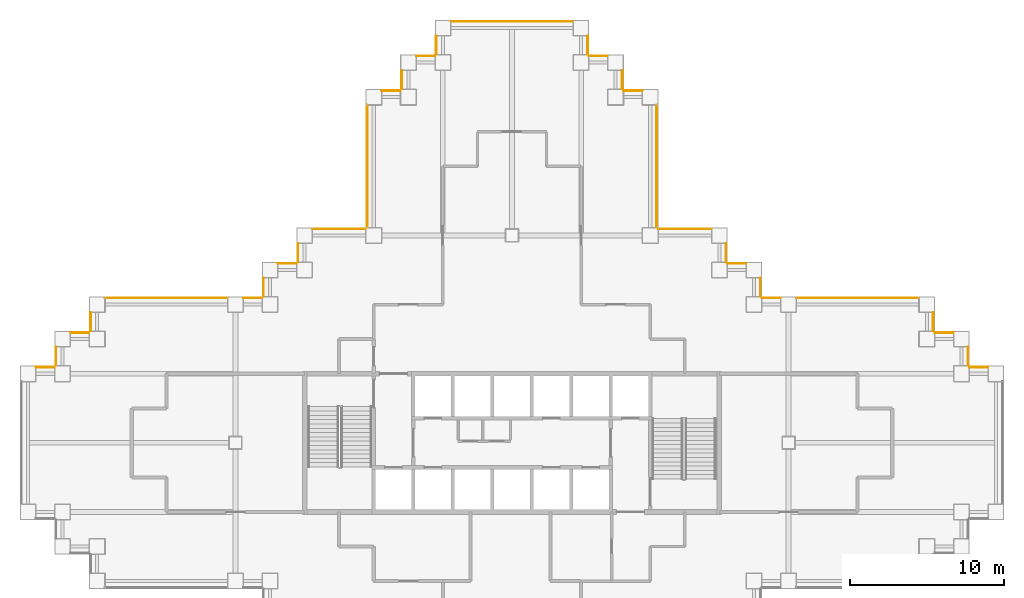
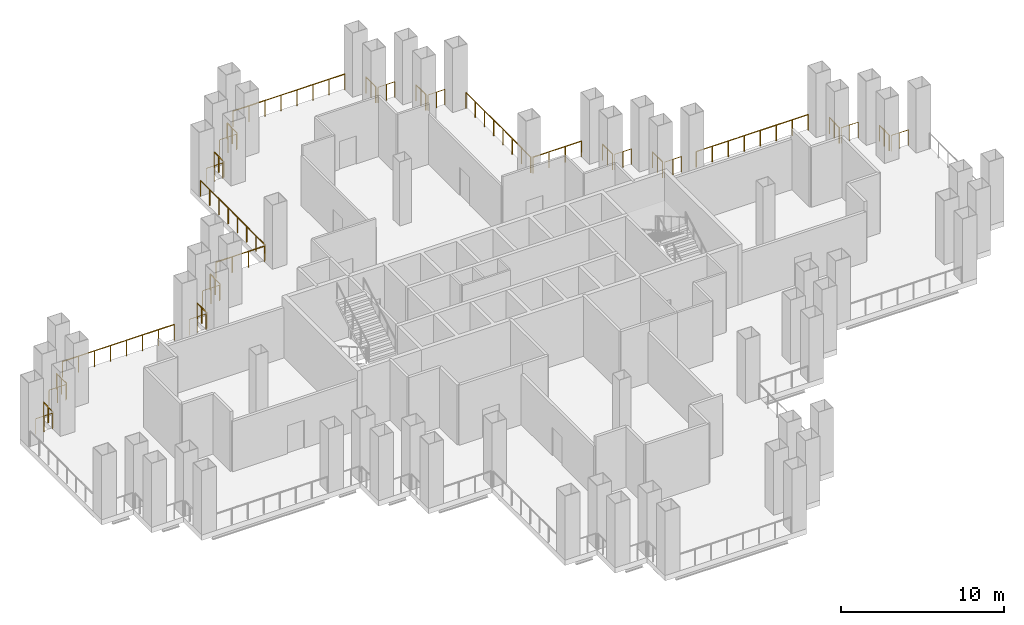
# One storey, part 10 of 10: 31 railings.
"""IFC4 building model written with IfcOpenShell, lengths in metres."""

from ifc_helpers import new_model, si_unit, direction, frame, origin, origin_2d, place, context, subcontext, project, spatial, circle, extrude, material, type_object, element, save


model = new_model("IFC4")

# Units and contexts
model_context = context("Model", 3, precision=1e-05, world=origin(), true_north=direction((0.0, 1.0)))
body_context = subcontext(model_context, "Body", "Model", "MODEL_VIEW")
ifc_project = project(units=[si_unit("LENGTHUNIT", "METRE"), si_unit("AREAUNIT", "SQUARE_METRE"), si_unit("VOLUMEUNIT", "CUBIC_METRE"), si_unit("PLANEANGLEUNIT", "RADIAN"), si_unit("MASSUNIT", "GRAM", prefix="KILO")], contexts=[model_context])

# Site, building, storey
site_placement = place(None, origin())
site = spatial("IfcSite", under=ifc_project, at=site_placement, CompositionType="ELEMENT")
building_placement = place(site_placement, origin())
building = spatial("IfcBuilding", under=site, at=building_placement, Name="Caravel Reach Hotel and Residences", CompositionType="ELEMENT")
storey_placement = place(building_placement, frame((0.0, 0.0, 48.0)))
storey = spatial("IfcBuildingStorey", under=building, at=storey_placement, Name="L10", CompositionType="ELEMENT", Elevation=48.0)

# Railings
ifc_material = material(Name="Stainless steel S30408", Category="steel")
railing_type = type_object("IfcRailingType", Name="G1 Guard 1200 stainless", PredefinedType="GUARDRAIL", material=ifc_material)
railing_1_placement = place(storey_placement, frame((62.47509765625, 31.925048828125, 0.0)))
element("IfcRailing", 1, at=railing_1_placement, inside=storey, type_object=railing_type, Name="Guard L10 21.1", PredefinedType="GUARDRAIL", context=body_context, shape_type="SweptSolid", body=[
    extrude(circle(Radius=0.02392578125, at=origin_2d()), frame((0.0, 0.0, 1.17578125), z_axis=(-1.0, 0.0, 0.0), x_axis=(0.0, -1.0, 0.0)), (0.0, 0.0, 1.0), 1.2001953125),
    extrude(circle(Radius=0.02099609375, at=origin_2d()), origin(), (0.0, 0.0, 1.0), 1.15185546875),
    extrude(circle(Radius=0.02099609375, at=origin_2d()), frame((-0.60009765625, 0.0, 0.0)), (0.0, 0.0, 1.0), 1.15185546875),
    extrude(circle(Radius=0.02099609375, at=origin_2d()), frame((-1.2001953125, 0.0, 0.0)), (0.0, 0.0, 1.0), 1.15185546875),
])
railing_2_placement = place(storey_placement, frame((61.175048828125, 32.02490234375, 0.0)))
element("IfcRailing", 2, at=railing_2_placement, inside=storey, type_object=railing_type, Name="Guard L10 22.1", PredefinedType="GUARDRAIL", context=body_context, shape_type="SweptSolid", body=[
    extrude(circle(Radius=0.02392578125, at=origin_2d()), frame((0.0, 0.0, 1.17578125), z_axis=(0.0, 1.0, 0.0), x_axis=(-1.0, 0.0, 0.0)), (0.0, 0.0, 1.0), 1.2001953125),
    extrude(circle(Radius=0.02099609375, at=origin_2d()), origin(), (0.0, 0.0, 1.0), 1.15185546875),
    extrude(circle(Radius=0.02099609375, at=origin_2d()), frame((0.0, 0.60009765625, 0.0)), (0.0, 0.0, 1.0), 1.15185546875),
    extrude(circle(Radius=0.02099609375, at=origin_2d()), frame((0.0, 1.2001953125, 0.0)), (0.0, 0.0, 1.0), 1.15185546875),
])
railing_3_placement = place(storey_placement, frame((60.22509765625, 34.175048828125, 0.0)))
element("IfcRailing", 3, at=railing_3_placement, inside=storey, type_object=railing_type, Name="Guard L10 23.1", PredefinedType="GUARDRAIL", context=body_context, shape_type="SweptSolid", body=[
    extrude(circle(Radius=0.02392578125, at=origin_2d()), frame((0.0, 0.0, 1.17578125), z_axis=(-1.0, 0.0, 0.0), x_axis=(0.0, -1.0, 0.0)), (0.0, 0.0, 1.0), 1.2001953125),
    extrude(circle(Radius=0.02099609375, at=origin_2d()), origin(), (0.0, 0.0, 1.0), 1.15185546875),
    extrude(circle(Radius=0.02099609375, at=origin_2d()), frame((-0.60009765625, 0.0, 0.0)), (0.0, 0.0, 1.0), 1.15185546875),
    extrude(circle(Radius=0.02099609375, at=origin_2d()), frame((-1.2001953125, 0.0, 0.0)), (0.0, 0.0, 1.0), 1.15185546875),
])
railing_4_placement = place(storey_placement, frame((58.925048828125, 34.27490234375, 0.0)))
element("IfcRailing", 4, at=railing_4_placement, inside=storey, type_object=railing_type, Name="Guard L10 24.1", PredefinedType="GUARDRAIL", context=body_context, shape_type="SweptSolid", body=[
    extrude(circle(Radius=0.02392578125, at=origin_2d()), frame((0.0, 0.0, 1.17578125), z_axis=(0.0, 1.0, 0.0), x_axis=(-1.0, 0.0, 0.0)), (0.0, 0.0, 1.0), 1.2001953125),
    extrude(circle(Radius=0.02099609375, at=origin_2d()), origin(), (0.0, 0.0, 1.0), 1.15185546875),
    extrude(circle(Radius=0.02099609375, at=origin_2d()), frame((0.0, 0.60009765625, 0.0)), (0.0, 0.0, 1.0), 1.15185546875),
    extrude(circle(Radius=0.02099609375, at=origin_2d()), frame((0.0, 1.2001953125, 0.0)), (0.0, 0.0, 1.0), 1.15185546875),
])
railing_5_placement = place(storey_placement, frame((57.97509765625, 36.425048828125, 0.0)))
element("IfcRailing", 5, at=railing_5_placement, inside=storey, type_object=railing_type, Name="Guard L10 25.1", PredefinedType="GUARDRAIL", context=body_context, shape_type="SweptSolid", body=[
    extrude(circle(Radius=0.02392578125, at=origin_2d()), frame((0.0, 0.0, 1.17578125), z_axis=(-1.0, 0.0, 0.0), x_axis=(0.0, -1.0, 0.0)), (0.0, 0.0, 1.0), 7.9501953125),
    extrude(circle(Radius=0.02099609375, at=origin_2d()), origin(), (0.0, 0.0, 1.0), 1.15185546875),
    extrude(circle(Radius=0.02099609375, at=origin_2d()), frame((-1.1357421875, 0.0, 0.0)), (0.0, 0.0, 1.0), 1.15185546875),
    extrude(circle(Radius=0.02099609375, at=origin_2d()), frame((-2.271484375, 0.0, 0.0)), (0.0, 0.0, 1.0), 1.15185546875),
    extrude(circle(Radius=0.02099609375, at=origin_2d()), frame((-3.4072265625, 0.0, 0.0)), (0.0, 0.0, 1.0), 1.15185546875),
    extrude(circle(Radius=0.02099609375, at=origin_2d()), frame((-4.54296875, 0.0, 0.0)), (0.0, 0.0, 1.0), 1.15185546875),
    extrude(circle(Radius=0.02099609375, at=origin_2d()), frame((-5.6787109375, 0.0, 0.0)), (0.0, 0.0, 1.0), 1.15185546875),
    extrude(circle(Radius=0.02099609375, at=origin_2d()), frame((-6.814453125, 0.0, 0.0)), (0.0, 0.0, 1.0), 1.15185546875),
    extrude(circle(Radius=0.02099609375, at=origin_2d()), frame((-7.9501953125, 0.0, 0.0)), (0.0, 0.0, 1.0), 1.15185546875),
])
railing_6_placement = place(storey_placement, frame((48.97509765625, 36.425048828125, 0.0)))
element("IfcRailing", 6, at=railing_6_placement, inside=storey, type_object=railing_type, Name="Guard L10 25.2", PredefinedType="GUARDRAIL", context=body_context, shape_type="SweptSolid", body=[
    extrude(circle(Radius=0.02392578125, at=origin_2d()), frame((0.0, 0.0, 1.17578125), z_axis=(-1.0, 0.0, 0.0), x_axis=(0.0, -1.0, 0.0)), (0.0, 0.0, 1.0), 1.2001953125),
    extrude(circle(Radius=0.02099609375, at=origin_2d()), origin(), (0.0, 0.0, 1.0), 1.15185546875),
    extrude(circle(Radius=0.02099609375, at=origin_2d()), frame((-0.60009765625, 0.0, 0.0)), (0.0, 0.0, 1.0), 1.15185546875),
    extrude(circle(Radius=0.02099609375, at=origin_2d()), frame((-1.2001953125, 0.0, 0.0)), (0.0, 0.0, 1.0), 1.15185546875),
])
railing_7_placement = place(storey_placement, frame((47.675048828125, 36.52490234375, 0.0)))
element("IfcRailing", 7, at=railing_7_placement, inside=storey, type_object=railing_type, Name="Guard L10 26.1", PredefinedType="GUARDRAIL", context=body_context, shape_type="SweptSolid", body=[
    extrude(circle(Radius=0.02392578125, at=origin_2d()), frame((0.0, 0.0, 1.17578125), z_axis=(0.0, 1.0, 0.0), x_axis=(-1.0, 0.0, 0.0)), (0.0, 0.0, 1.0), 1.2001953125),
    extrude(circle(Radius=0.02099609375, at=origin_2d()), origin(), (0.0, 0.0, 1.0), 1.15185546875),
    extrude(circle(Radius=0.02099609375, at=origin_2d()), frame((0.0, 0.60009765625, 0.0)), (0.0, 0.0, 1.0), 1.15185546875),
    extrude(circle(Radius=0.02099609375, at=origin_2d()), frame((0.0, 1.2001953125, 0.0)), (0.0, 0.0, 1.0), 1.15185546875),
])
railing_8_placement = place(storey_placement, frame((46.72509765625, 38.675048828125, 0.0)))
element("IfcRailing", 8, at=railing_8_placement, inside=storey, type_object=railing_type, Name="Guard L10 27.1", PredefinedType="GUARDRAIL", context=body_context, shape_type="SweptSolid", body=[
    extrude(circle(Radius=0.02392578125, at=origin_2d()), frame((0.0, 0.0, 1.17578125), z_axis=(-1.0, 0.0, 0.0), x_axis=(0.0, -1.0, 0.0)), (0.0, 0.0, 1.0), 1.2001953125),
    extrude(circle(Radius=0.02099609375, at=origin_2d()), origin(), (0.0, 0.0, 1.0), 1.15185546875),
    extrude(circle(Radius=0.02099609375, at=origin_2d()), frame((-0.60009765625, 0.0, 0.0)), (0.0, 0.0, 1.0), 1.15185546875),
    extrude(circle(Radius=0.02099609375, at=origin_2d()), frame((-1.2001953125, 0.0, 0.0)), (0.0, 0.0, 1.0), 1.15185546875),
])
railing_9_placement = place(storey_placement, frame((45.425048828125, 38.77490234375, 0.0)))
element("IfcRailing", 9, at=railing_9_placement, inside=storey, type_object=railing_type, Name="Guard L10 28.1", PredefinedType="GUARDRAIL", context=body_context, shape_type="SweptSolid", body=[
    extrude(circle(Radius=0.02392578125, at=origin_2d()), frame((0.0, 0.0, 1.17578125), z_axis=(0.0, 1.0, 0.0), x_axis=(-1.0, 0.0, 0.0)), (0.0, 0.0, 1.0), 1.2001953125),
    extrude(circle(Radius=0.02099609375, at=origin_2d()), origin(), (0.0, 0.0, 1.0), 1.15185546875),
    extrude(circle(Radius=0.02099609375, at=origin_2d()), frame((0.0, 0.60009765625, 0.0)), (0.0, 0.0, 1.0), 1.15185546875),
    extrude(circle(Radius=0.02099609375, at=origin_2d()), frame((0.0, 1.2001953125, 0.0)), (0.0, 0.0, 1.0), 1.15185546875),
])
railing_10_placement = place(storey_placement, frame((44.47509765625, 40.925048828125, 0.0)))
element("IfcRailing", 10, at=railing_10_placement, inside=storey, type_object=railing_type, Name="Guard L10 29.1", PredefinedType="GUARDRAIL", context=body_context, shape_type="SweptSolid", body=[
    extrude(circle(Radius=0.02392578125, at=origin_2d()), frame((0.0, 0.0, 1.17578125), z_axis=(-1.0, 0.0, 0.0), x_axis=(0.0, -1.0, 0.0)), (0.0, 0.0, 1.0), 3.4501953125),
    extrude(circle(Radius=0.02099609375, at=origin_2d()), origin(), (0.0, 0.0, 1.0), 1.15185546875),
    extrude(circle(Radius=0.02099609375, at=origin_2d()), frame((-1.150146484375, 0.0, 0.0)), (0.0, 0.0, 1.0), 1.15185546875),
    extrude(circle(Radius=0.02099609375, at=origin_2d()), frame((-2.300048828125, 0.0, 0.0)), (0.0, 0.0, 1.0), 1.15185546875),
    extrude(circle(Radius=0.02099609375, at=origin_2d()), frame((-3.4501953125, 0.0, 0.0)), (0.0, 0.0, 1.0), 1.15185546875),
])
railing_11_placement = place(storey_placement, frame((40.925048828125, 41.02490234375, 0.0)))
element("IfcRailing", 11, at=railing_11_placement, inside=storey, type_object=railing_type, Name="Guard L10 30.1", PredefinedType="GUARDRAIL", context=body_context, shape_type="SweptSolid", body=[
    extrude(circle(Radius=0.02392578125, at=origin_2d()), frame((0.0, 0.0, 1.17578125), z_axis=(0.0, 1.0, 0.0), x_axis=(-1.0, 0.0, 0.0)), (0.0, 0.0, 1.0), 7.9501953125),
    extrude(circle(Radius=0.02099609375, at=origin_2d()), origin(), (0.0, 0.0, 1.0), 1.15185546875),
    extrude(circle(Radius=0.02099609375, at=origin_2d()), frame((0.0, 1.1357421875, 0.0)), (0.0, 0.0, 1.0), 1.15185546875),
    extrude(circle(Radius=0.02099609375, at=origin_2d()), frame((0.0, 2.271484375, 0.0)), (0.0, 0.0, 1.0), 1.15185546875),
    extrude(circle(Radius=0.02099609375, at=origin_2d()), frame((0.0, 3.4072265625, 0.0)), (0.0, 0.0, 1.0), 1.15185546875),
    extrude(circle(Radius=0.02099609375, at=origin_2d()), frame((0.0, 4.54296875, 0.0)), (0.0, 0.0, 1.0), 1.15185546875),
    extrude(circle(Radius=0.02099609375, at=origin_2d()), frame((0.0, 5.6787109375, 0.0)), (0.0, 0.0, 1.0), 1.15185546875),
    extrude(circle(Radius=0.02099609375, at=origin_2d()), frame((0.0, 6.814453125, 0.0)), (0.0, 0.0, 1.0), 1.15185546875),
    extrude(circle(Radius=0.02099609375, at=origin_2d()), frame((0.0, 7.9501953125, 0.0)), (0.0, 0.0, 1.0), 1.15185546875),
])
railing_12_placement = place(storey_placement, frame((39.97509765625, 49.925048828125, 0.0)))
element("IfcRailing", 12, at=railing_12_placement, inside=storey, type_object=railing_type, Name="Guard L10 31.1", PredefinedType="GUARDRAIL", context=body_context, shape_type="SweptSolid", body=[
    extrude(circle(Radius=0.02392578125, at=origin_2d()), frame((0.0, 0.0, 1.17578125), z_axis=(-1.0, 0.0, 0.0), x_axis=(0.0, -1.0, 0.0)), (0.0, 0.0, 1.0), 1.2001953125),
    extrude(circle(Radius=0.02099609375, at=origin_2d()), origin(), (0.0, 0.0, 1.0), 1.15185546875),
    extrude(circle(Radius=0.02099609375, at=origin_2d()), frame((-0.60009765625, 0.0, 0.0)), (0.0, 0.0, 1.0), 1.15185546875),
    extrude(circle(Radius=0.02099609375, at=origin_2d()), frame((-1.2001953125, 0.0, 0.0)), (0.0, 0.0, 1.0), 1.15185546875),
])
railing_13_placement = place(storey_placement, frame((38.675048828125, 50.02490234375, 0.0)))
element("IfcRailing", 13, at=railing_13_placement, inside=storey, type_object=railing_type, Name="Guard L10 32.1", PredefinedType="GUARDRAIL", context=body_context, shape_type="SweptSolid", body=[
    extrude(circle(Radius=0.02392578125, at=origin_2d()), frame((0.0, 0.0, 1.17578125), z_axis=(0.0, 1.0, 0.0), x_axis=(-1.0, 0.0, 0.0)), (0.0, 0.0, 1.0), 1.2001953125),
    extrude(circle(Radius=0.02099609375, at=origin_2d()), origin(), (0.0, 0.0, 1.0), 1.15185546875),
    extrude(circle(Radius=0.02099609375, at=origin_2d()), frame((0.0, 0.60009765625, 0.0)), (0.0, 0.0, 1.0), 1.15185546875),
    extrude(circle(Radius=0.02099609375, at=origin_2d()), frame((0.0, 1.2001953125, 0.0)), (0.0, 0.0, 1.0), 1.15185546875),
])
railing_14_placement = place(storey_placement, frame((37.72509765625, 52.175048828125, 0.0)))
element("IfcRailing", 14, at=railing_14_placement, inside=storey, type_object=railing_type, Name="Guard L10 33.1", PredefinedType="GUARDRAIL", context=body_context, shape_type="SweptSolid", body=[
    extrude(circle(Radius=0.02392578125, at=origin_2d()), frame((0.0, 0.0, 1.17578125), z_axis=(-1.0, 0.0, 0.0), x_axis=(0.0, -1.0, 0.0)), (0.0, 0.0, 1.0), 1.2001953125),
    extrude(circle(Radius=0.02099609375, at=origin_2d()), origin(), (0.0, 0.0, 1.0), 1.15185546875),
    extrude(circle(Radius=0.02099609375, at=origin_2d()), frame((-0.60009765625, 0.0, 0.0)), (0.0, 0.0, 1.0), 1.15185546875),
    extrude(circle(Radius=0.02099609375, at=origin_2d()), frame((-1.2001953125, 0.0, 0.0)), (0.0, 0.0, 1.0), 1.15185546875),
])
railing_15_placement = place(storey_placement, frame((36.425048828125, 52.27490234375, 0.0)))
element("IfcRailing", 15, at=railing_15_placement, inside=storey, type_object=railing_type, Name="Guard L10 34.1", PredefinedType="GUARDRAIL", context=body_context, shape_type="SweptSolid", body=[
    extrude(circle(Radius=0.02392578125, at=origin_2d()), frame((0.0, 0.0, 1.17578125), z_axis=(0.0, 1.0, 0.0), x_axis=(-1.0, 0.0, 0.0)), (0.0, 0.0, 1.0), 1.2001953125),
    extrude(circle(Radius=0.02099609375, at=origin_2d()), origin(), (0.0, 0.0, 1.0), 1.15185546875),
    extrude(circle(Radius=0.02099609375, at=origin_2d()), frame((0.0, 0.60009765625, 0.0)), (0.0, 0.0, 1.0), 1.15185546875),
    extrude(circle(Radius=0.02099609375, at=origin_2d()), frame((0.0, 1.2001953125, 0.0)), (0.0, 0.0, 1.0), 1.15185546875),
])
railing_16_placement = place(storey_placement, frame((35.47509765625, 54.425048828125, 0.0)))
element("IfcRailing", 16, at=railing_16_placement, inside=storey, type_object=railing_type, Name="Guard L10 35.1", PredefinedType="GUARDRAIL", context=body_context, shape_type="SweptSolid", body=[
    extrude(circle(Radius=0.02392578125, at=origin_2d()), frame((0.0, 0.0, 1.17578125), z_axis=(-1.0, 0.0, 0.0), x_axis=(0.0, -1.0, 0.0)), (0.0, 0.0, 1.0), 7.9501953125),
    extrude(circle(Radius=0.02099609375, at=origin_2d()), origin(), (0.0, 0.0, 1.0), 1.15185546875),
    extrude(circle(Radius=0.02099609375, at=origin_2d()), frame((-1.1357421875, 0.0, 0.0)), (0.0, 0.0, 1.0), 1.15185546875),
    extrude(circle(Radius=0.02099609375, at=origin_2d()), frame((-2.271484375, 0.0, 0.0)), (0.0, 0.0, 1.0), 1.15185546875),
    extrude(circle(Radius=0.02099609375, at=origin_2d()), frame((-3.4072265625, 0.0, 0.0)), (0.0, 0.0, 1.0), 1.15185546875),
    extrude(circle(Radius=0.02099609375, at=origin_2d()), frame((-4.54296875, 0.0, 0.0)), (0.0, 0.0, 1.0), 1.15185546875),
    extrude(circle(Radius=0.02099609375, at=origin_2d()), frame((-5.6787109375, 0.0, 0.0)), (0.0, 0.0, 1.0), 1.15185546875),
    extrude(circle(Radius=0.02099609375, at=origin_2d()), frame((-6.814453125, 0.0, 0.0)), (0.0, 0.0, 1.0), 1.15185546875),
    extrude(circle(Radius=0.02099609375, at=origin_2d()), frame((-7.9501953125, 0.0, 0.0)), (0.0, 0.0, 1.0), 1.15185546875),
])
railing_17_placement = place(storey_placement, frame((26.574951171875, 53.47509765625, 0.0)))
element("IfcRailing", 17, at=railing_17_placement, inside=storey, type_object=railing_type, Name="Guard L10 36.1", PredefinedType="GUARDRAIL", context=body_context, shape_type="SweptSolid", body=[
    extrude(circle(Radius=0.02392578125, at=origin_2d()), frame((0.0, 0.0, 1.17578125), z_axis=(0.0, -1.0, 0.0), x_axis=(1.0, 0.0, 0.0)), (0.0, 0.0, 1.0), 1.2001953125),
    extrude(circle(Radius=0.02099609375, at=origin_2d()), origin(), (0.0, 0.0, 1.0), 1.15185546875),
    extrude(circle(Radius=0.02099609375, at=origin_2d()), frame((0.0, -0.60009765625, 0.0)), (0.0, 0.0, 1.0), 1.15185546875),
    extrude(circle(Radius=0.02099609375, at=origin_2d()), frame((0.0, -1.2001953125, 0.0)), (0.0, 0.0, 1.0), 1.15185546875),
])
railing_18_placement = place(storey_placement, frame((26.47509765625, 52.175048828125, 0.0)))
element("IfcRailing", 18, at=railing_18_placement, inside=storey, type_object=railing_type, Name="Guard L10 37.1", PredefinedType="GUARDRAIL", context=body_context, shape_type="SweptSolid", body=[
    extrude(circle(Radius=0.02392578125, at=origin_2d()), frame((0.0, 0.0, 1.17578125), z_axis=(-1.0, 0.0, 0.0), x_axis=(0.0, -1.0, 0.0)), (0.0, 0.0, 1.0), 1.2001953125),
    extrude(circle(Radius=0.02099609375, at=origin_2d()), origin(), (0.0, 0.0, 1.0), 1.15185546875),
    extrude(circle(Radius=0.02099609375, at=origin_2d()), frame((-0.60009765625, 0.0, 0.0)), (0.0, 0.0, 1.0), 1.15185546875),
    extrude(circle(Radius=0.02099609375, at=origin_2d()), frame((-1.2001953125, 0.0, 0.0)), (0.0, 0.0, 1.0), 1.15185546875),
])
railing_19_placement = place(storey_placement, frame((24.324951171875, 51.22509765625, 0.0)))
element("IfcRailing", 19, at=railing_19_placement, inside=storey, type_object=railing_type, Name="Guard L10 38.1", PredefinedType="GUARDRAIL", context=body_context, shape_type="SweptSolid", body=[
    extrude(circle(Radius=0.02392578125, at=origin_2d()), frame((0.0, 0.0, 1.17578125), z_axis=(0.0, -1.0, 0.0), x_axis=(1.0, 0.0, 0.0)), (0.0, 0.0, 1.0), 1.2001953125),
    extrude(circle(Radius=0.02099609375, at=origin_2d()), origin(), (0.0, 0.0, 1.0), 1.15185546875),
    extrude(circle(Radius=0.02099609375, at=origin_2d()), frame((0.0, -0.60009765625, 0.0)), (0.0, 0.0, 1.0), 1.15185546875),
    extrude(circle(Radius=0.02099609375, at=origin_2d()), frame((0.0, -1.2001953125, 0.0)), (0.0, 0.0, 1.0), 1.15185546875),
])
railing_20_placement = place(storey_placement, frame((24.22509765625, 49.925048828125, 0.0)))
element("IfcRailing", 20, at=railing_20_placement, inside=storey, type_object=railing_type, Name="Guard L10 39.1", PredefinedType="GUARDRAIL", context=body_context, shape_type="SweptSolid", body=[
    extrude(circle(Radius=0.02392578125, at=origin_2d()), frame((0.0, 0.0, 1.17578125), z_axis=(-1.0, 0.0, 0.0), x_axis=(0.0, -1.0, 0.0)), (0.0, 0.0, 1.0), 1.2001953125),
    extrude(circle(Radius=0.02099609375, at=origin_2d()), origin(), (0.0, 0.0, 1.0), 1.15185546875),
    extrude(circle(Radius=0.02099609375, at=origin_2d()), frame((-0.60009765625, 0.0, 0.0)), (0.0, 0.0, 1.0), 1.15185546875),
    extrude(circle(Radius=0.02099609375, at=origin_2d()), frame((-1.2001953125, 0.0, 0.0)), (0.0, 0.0, 1.0), 1.15185546875),
])
railing_21_placement = place(storey_placement, frame((22.074951171875, 48.97509765625, 0.0)))
element("IfcRailing", 21, at=railing_21_placement, inside=storey, type_object=railing_type, Name="Guard L10 40.1", PredefinedType="GUARDRAIL", context=body_context, shape_type="SweptSolid", body=[
    extrude(circle(Radius=0.02392578125, at=origin_2d()), frame((0.0, 0.0, 1.17578125), z_axis=(0.0, -1.0, 0.0), x_axis=(1.0, 0.0, 0.0)), (0.0, 0.0, 1.0), 7.9501953125),
    extrude(circle(Radius=0.02099609375, at=origin_2d()), origin(), (0.0, 0.0, 1.0), 1.15185546875),
    extrude(circle(Radius=0.02099609375, at=origin_2d()), frame((0.0, -1.1357421875, 0.0)), (0.0, 0.0, 1.0), 1.15185546875),
    extrude(circle(Radius=0.02099609375, at=origin_2d()), frame((0.0, -2.271484375, 0.0)), (0.0, 0.0, 1.0), 1.15185546875),
    extrude(circle(Radius=0.02099609375, at=origin_2d()), frame((0.0, -3.4072265625, 0.0)), (0.0, 0.0, 1.0), 1.15185546875),
    extrude(circle(Radius=0.02099609375, at=origin_2d()), frame((0.0, -4.54296875, 0.0)), (0.0, 0.0, 1.0), 1.15185546875),
    extrude(circle(Radius=0.02099609375, at=origin_2d()), frame((0.0, -5.6787109375, 0.0)), (0.0, 0.0, 1.0), 1.15185546875),
    extrude(circle(Radius=0.02099609375, at=origin_2d()), frame((0.0, -6.814453125, 0.0)), (0.0, 0.0, 1.0), 1.15185546875),
    extrude(circle(Radius=0.02099609375, at=origin_2d()), frame((0.0, -7.9501953125, 0.0)), (0.0, 0.0, 1.0), 1.15185546875),
])
railing_22_placement = place(storey_placement, frame((21.97509765625, 40.925048828125, 0.0)))
element("IfcRailing", 22, at=railing_22_placement, inside=storey, type_object=railing_type, Name="Guard L10 41.1", PredefinedType="GUARDRAIL", context=body_context, shape_type="SweptSolid", body=[
    extrude(circle(Radius=0.02392578125, at=origin_2d()), frame((0.0, 0.0, 1.17578125), z_axis=(-1.0, 0.0, 0.0), x_axis=(0.0, -1.0, 0.0)), (0.0, 0.0, 1.0), 3.4501953125),
    extrude(circle(Radius=0.02099609375, at=origin_2d()), origin(), (0.0, 0.0, 1.0), 1.15185546875),
    extrude(circle(Radius=0.02099609375, at=origin_2d()), frame((-1.150146484375, 0.0, 0.0)), (0.0, 0.0, 1.0), 1.15185546875),
    extrude(circle(Radius=0.02099609375, at=origin_2d()), frame((-2.300048828125, 0.0, 0.0)), (0.0, 0.0, 1.0), 1.15185546875),
    extrude(circle(Radius=0.02099609375, at=origin_2d()), frame((-3.4501953125, 0.0, 0.0)), (0.0, 0.0, 1.0), 1.15185546875),
])
railing_23_placement = place(storey_placement, frame((17.574951171875, 39.97509765625, 0.0)))
element("IfcRailing", 23, at=railing_23_placement, inside=storey, type_object=railing_type, Name="Guard L10 42.1", PredefinedType="GUARDRAIL", context=body_context, shape_type="SweptSolid", body=[
    extrude(circle(Radius=0.02392578125, at=origin_2d()), frame((0.0, 0.0, 1.17578125), z_axis=(0.0, -1.0, 0.0), x_axis=(1.0, 0.0, 0.0)), (0.0, 0.0, 1.0), 1.2001953125),
    extrude(circle(Radius=0.02099609375, at=origin_2d()), origin(), (0.0, 0.0, 1.0), 1.15185546875),
    extrude(circle(Radius=0.02099609375, at=origin_2d()), frame((0.0, -0.60009765625, 0.0)), (0.0, 0.0, 1.0), 1.15185546875),
    extrude(circle(Radius=0.02099609375, at=origin_2d()), frame((0.0, -1.2001953125, 0.0)), (0.0, 0.0, 1.0), 1.15185546875),
])
railing_24_placement = place(storey_placement, frame((17.47509765625, 38.675048828125, 0.0)))
element("IfcRailing", 24, at=railing_24_placement, inside=storey, type_object=railing_type, Name="Guard L10 43.1", PredefinedType="GUARDRAIL", context=body_context, shape_type="SweptSolid", body=[
    extrude(circle(Radius=0.02392578125, at=origin_2d()), frame((0.0, 0.0, 1.17578125), z_axis=(-1.0, 0.0, 0.0), x_axis=(0.0, -1.0, 0.0)), (0.0, 0.0, 1.0), 1.2001953125),
    extrude(circle(Radius=0.02099609375, at=origin_2d()), origin(), (0.0, 0.0, 1.0), 1.15185546875),
    extrude(circle(Radius=0.02099609375, at=origin_2d()), frame((-0.60009765625, 0.0, 0.0)), (0.0, 0.0, 1.0), 1.15185546875),
    extrude(circle(Radius=0.02099609375, at=origin_2d()), frame((-1.2001953125, 0.0, 0.0)), (0.0, 0.0, 1.0), 1.15185546875),
])
railing_25_placement = place(storey_placement, frame((15.324951171875, 37.72509765625, 0.0)))
element("IfcRailing", 25, at=railing_25_placement, inside=storey, type_object=railing_type, Name="Guard L10 44.1", PredefinedType="GUARDRAIL", context=body_context, shape_type="SweptSolid", body=[
    extrude(circle(Radius=0.02392578125, at=origin_2d()), frame((0.0, 0.0, 1.17578125), z_axis=(0.0, -1.0, 0.0), x_axis=(1.0, 0.0, 0.0)), (0.0, 0.0, 1.0), 1.2001953125),
    extrude(circle(Radius=0.02099609375, at=origin_2d()), origin(), (0.0, 0.0, 1.0), 1.15185546875),
    extrude(circle(Radius=0.02099609375, at=origin_2d()), frame((0.0, -0.60009765625, 0.0)), (0.0, 0.0, 1.0), 1.15185546875),
    extrude(circle(Radius=0.02099609375, at=origin_2d()), frame((0.0, -1.2001953125, 0.0)), (0.0, 0.0, 1.0), 1.15185546875),
])
railing_26_placement = place(storey_placement, frame((15.22509765625, 36.425048828125, 0.0)))
element("IfcRailing", 26, at=railing_26_placement, inside=storey, type_object=railing_type, Name="Guard L10 45.1", PredefinedType="GUARDRAIL", context=body_context, shape_type="SweptSolid", body=[
    extrude(circle(Radius=0.02392578125, at=origin_2d()), frame((0.0, 0.0, 1.17578125), z_axis=(-1.0, 0.0, 0.0), x_axis=(0.0, -1.0, 0.0)), (0.0, 0.0, 1.0), 1.2001953125),
    extrude(circle(Radius=0.02099609375, at=origin_2d()), origin(), (0.0, 0.0, 1.0), 1.15185546875),
    extrude(circle(Radius=0.02099609375, at=origin_2d()), frame((-0.60009765625, 0.0, 0.0)), (0.0, 0.0, 1.0), 1.15185546875),
    extrude(circle(Radius=0.02099609375, at=origin_2d()), frame((-1.2001953125, 0.0, 0.0)), (0.0, 0.0, 1.0), 1.15185546875),
])
railing_27_placement = place(storey_placement, frame((12.97509765625, 36.425048828125, 0.0)))
element("IfcRailing", 27, at=railing_27_placement, inside=storey, type_object=railing_type, Name="Guard L10 45.2", PredefinedType="GUARDRAIL", context=body_context, shape_type="SweptSolid", body=[
    extrude(circle(Radius=0.02392578125, at=origin_2d()), frame((0.0, 0.0, 1.17578125), z_axis=(-1.0, 0.0, 0.0), x_axis=(0.0, -1.0, 0.0)), (0.0, 0.0, 1.0), 7.9501953125),
    extrude(circle(Radius=0.02099609375, at=origin_2d()), origin(), (0.0, 0.0, 1.0), 1.15185546875),
    extrude(circle(Radius=0.02099609375, at=origin_2d()), frame((-1.1357421875, 0.0, 0.0)), (0.0, 0.0, 1.0), 1.15185546875),
    extrude(circle(Radius=0.02099609375, at=origin_2d()), frame((-2.271484375, 0.0, 0.0)), (0.0, 0.0, 1.0), 1.15185546875),
    extrude(circle(Radius=0.02099609375, at=origin_2d()), frame((-3.4072265625, 0.0, 0.0)), (0.0, 0.0, 1.0), 1.15185546875),
    extrude(circle(Radius=0.02099609375, at=origin_2d()), frame((-4.54296875, 0.0, 0.0)), (0.0, 0.0, 1.0), 1.15185546875),
    extrude(circle(Radius=0.02099609375, at=origin_2d()), frame((-5.6787109375, 0.0, 0.0)), (0.0, 0.0, 1.0), 1.15185546875),
    extrude(circle(Radius=0.02099609375, at=origin_2d()), frame((-6.814453125, 0.0, 0.0)), (0.0, 0.0, 1.0), 1.15185546875),
    extrude(circle(Radius=0.02099609375, at=origin_2d()), frame((-7.9501953125, 0.0, 0.0)), (0.0, 0.0, 1.0), 1.15185546875),
])
railing_28_placement = place(storey_placement, frame((4.074951171875, 35.47509765625, 0.0)))
element("IfcRailing", 28, at=railing_28_placement, inside=storey, type_object=railing_type, Name="Guard L10 46.1", PredefinedType="GUARDRAIL", context=body_context, shape_type="SweptSolid", body=[
    extrude(circle(Radius=0.02392578125, at=origin_2d()), frame((0.0, 0.0, 1.17578125), z_axis=(0.0, -1.0, 0.0), x_axis=(1.0, 0.0, 0.0)), (0.0, 0.0, 1.0), 1.2001953125),
    extrude(circle(Radius=0.02099609375, at=origin_2d()), origin(), (0.0, 0.0, 1.0), 1.15185546875),
    extrude(circle(Radius=0.02099609375, at=origin_2d()), frame((0.0, -0.60009765625, 0.0)), (0.0, 0.0, 1.0), 1.15185546875),
    extrude(circle(Radius=0.02099609375, at=origin_2d()), frame((0.0, -1.2001953125, 0.0)), (0.0, 0.0, 1.0), 1.15185546875),
])
railing_29_placement = place(storey_placement, frame((3.97509765625, 34.175048828125, 0.0)))
element("IfcRailing", 29, at=railing_29_placement, inside=storey, type_object=railing_type, Name="Guard L10 47.1", PredefinedType="GUARDRAIL", context=body_context, shape_type="SweptSolid", body=[
    extrude(circle(Radius=0.02392578125, at=origin_2d()), frame((0.0, 0.0, 1.17578125), z_axis=(-1.0, 0.0, 0.0), x_axis=(0.0, -1.0, 0.0)), (0.0, 0.0, 1.0), 1.2001953125),
    extrude(circle(Radius=0.02099609375, at=origin_2d()), origin(), (0.0, 0.0, 1.0), 1.15185546875),
    extrude(circle(Radius=0.02099609375, at=origin_2d()), frame((-0.60009765625, 0.0, 0.0)), (0.0, 0.0, 1.0), 1.15185546875),
    extrude(circle(Radius=0.02099609375, at=origin_2d()), frame((-1.2001953125, 0.0, 0.0)), (0.0, 0.0, 1.0), 1.15185546875),
])
railing_30_placement = place(storey_placement, frame((1.824951171875, 33.22509765625, 0.0)))
element("IfcRailing", 30, at=railing_30_placement, inside=storey, type_object=railing_type, Name="Guard L10 48.1", PredefinedType="GUARDRAIL", context=body_context, shape_type="SweptSolid", body=[
    extrude(circle(Radius=0.02392578125, at=origin_2d()), frame((0.0, 0.0, 1.17578125), z_axis=(0.0, -1.0, 0.0), x_axis=(1.0, 0.0, 0.0)), (0.0, 0.0, 1.0), 1.2001953125),
    extrude(circle(Radius=0.02099609375, at=origin_2d()), origin(), (0.0, 0.0, 1.0), 1.15185546875),
    extrude(circle(Radius=0.02099609375, at=origin_2d()), frame((0.0, -0.60009765625, 0.0)), (0.0, 0.0, 1.0), 1.15185546875),
    extrude(circle(Radius=0.02099609375, at=origin_2d()), frame((0.0, -1.2001953125, 0.0)), (0.0, 0.0, 1.0), 1.15185546875),
])
railing_31_placement = place(storey_placement, frame((1.72509765625, 31.925048828125, 0.0)))
element("IfcRailing", 31, at=railing_31_placement, inside=storey, type_object=railing_type, Name="Guard L10 49.1", PredefinedType="GUARDRAIL", context=body_context, shape_type="SweptSolid", body=[
    extrude(circle(Radius=0.02392578125, at=origin_2d()), frame((0.0, 0.0, 1.17578125), z_axis=(-1.0, 0.0, 0.0), x_axis=(0.0, -1.0, 0.0)), (0.0, 0.0, 1.0), 1.2001953125),
    extrude(circle(Radius=0.02099609375, at=origin_2d()), origin(), (0.0, 0.0, 1.0), 1.15185546875),
    extrude(circle(Radius=0.02099609375, at=origin_2d()), frame((-0.60009765625, 0.0, 0.0)), (0.0, 0.0, 1.0), 1.15185546875),
    extrude(circle(Radius=0.02099609375, at=origin_2d()), frame((-1.2001953125, 0.0, 0.0)), (0.0, 0.0, 1.0), 1.15185546875),
])

save(model, "model.ifc")
